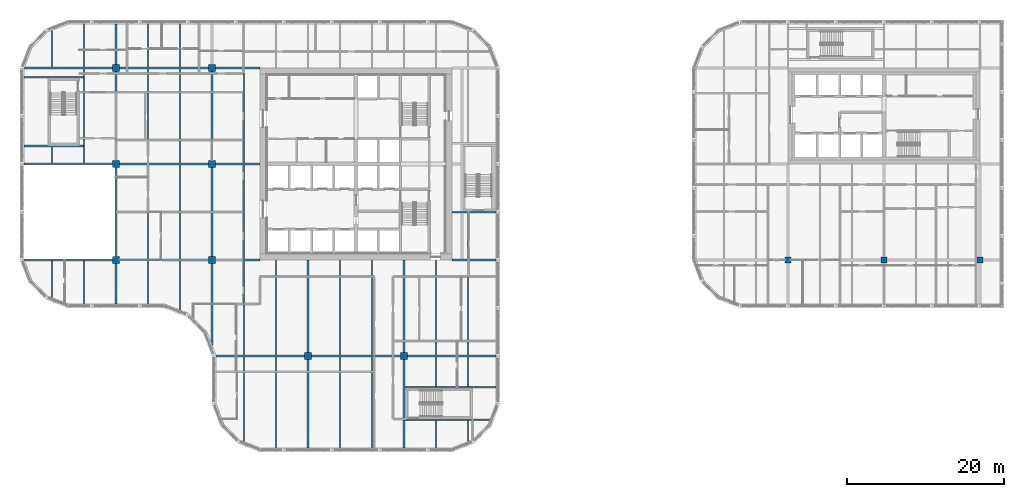
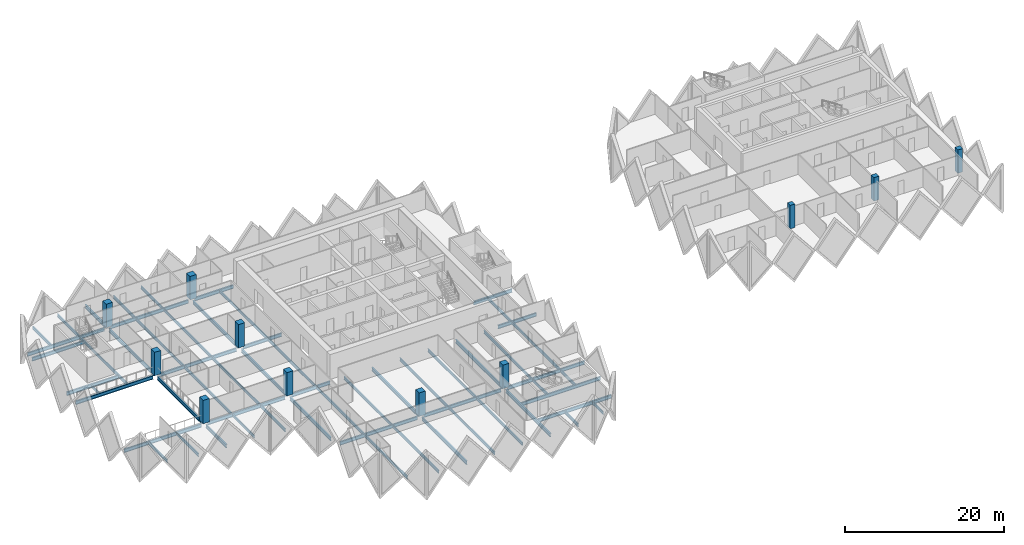
# One storey, part 1 of 18: 60 beams, 11 columns.
"""IFC4 building model written with IfcOpenShell, lengths in metres."""

import ifcopenshell
import ifcopenshell.guid

model = None  # the IFC model being written
_history = None  # IfcOwnerHistory: only IFC2X3 demands one
_inside = {}  # id of a spatial element -> (the spatial element, [elements in it])
_under = {}  # id of a project, library or spatial element -> (it, [spatial elements below it])
_declared = {}  # id of a project -> (the project, [libraries it declares])
_typed = {}  # id of a type object -> (the type object, [elements of that type])
_made_of = {}  # id of a material, layer set ... -> (it, [elements and type objects made of it])


def new_model(schema):
    """Start an empty IFC model of exactly this schema.

    Asked for "IFC4X3", IfcOpenShell would pick the latest addendum, in which some entities
    have other attributes; the version numbers below select the first issue.
    IFC2X3 requires an IfcOwnerHistory on every rooted entity: one is made here for all.
    """
    global model, _history
    if schema == "IFC4X3":
        model = ifcopenshell.file(schema_version=(4, 3, 0, 0))
    else:
        model = ifcopenshell.file(schema=schema)
    _inside.clear()
    _under.clear()
    _declared.clear()
    _typed.clear()
    _made_of.clear()
    _history = None
    if model.schema == "IFC2X3":
        org = make("IfcOrganization", Name="unknown")
        user = make(
            "IfcPersonAndOrganization",
            ThePerson=make("IfcPerson", FamilyName="unknown"),
            TheOrganization=org,
        )
        app = make(
            "IfcApplication",
            ApplicationDeveloper=org,
            Version="unknown",
            ApplicationFullName="unknown",
            ApplicationIdentifier="unknown",
        )
        _history = make(
            "IfcOwnerHistory",
            OwningUser=user,
            OwningApplication=app,
            ChangeAction="ADDED",
            CreationDate=0,
        )
    return model


def make(cls, **values):
    """One entity of the class cls with the attributes given. An attribute that is None is left unset."""
    return model.create_entity(
        cls, **{name: value for name, value in values.items() if value is not None}
    )


def rooted(cls, **values):
    """An entity with a GlobalId (a new one), such as an element, a storey or a relation."""
    return make(cls, GlobalId=ifcopenshell.guid.new(), OwnerHistory=_history, **values)


def si_unit(unit_type, name, prefix=None):
    """IfcSIUnit, for example si_unit("LENGTHUNIT", "METRE", prefix="MILLI")."""
    return make("IfcSIUnit", UnitType=unit_type, Prefix=prefix, Name=name)


def assignment(units):
    """IfcUnitAssignment: the units of a project."""
    return None if units is None else make("IfcUnitAssignment", Units=units)


def point(xyz):
    """IfcCartesianPoint."""
    return None if xyz is None else make("IfcCartesianPoint", Coordinates=xyz)


def direction(xyz):
    """IfcDirection."""
    return None if xyz is None else make("IfcDirection", DirectionRatios=xyz)


def frame(location, z_axis=None, x_axis=None):
    """IfcAxis2Placement3D, a coordinate frame: its origin and axes. An axis left out is left unset."""
    return make(
        "IfcAxis2Placement3D",
        Location=point(location),
        Axis=direction(z_axis),
        RefDirection=direction(x_axis),
    )


def frame_2d(location, x_axis=None):
    """IfcAxis2Placement2D, a coordinate frame in the plane: its origin and x axis."""
    return make(
        "IfcAxis2Placement2D", Location=point(location), RefDirection=direction(x_axis)
    )


def origin():
    """The frame at (0, 0, 0) with its axes left unset."""
    return frame((0.0, 0.0, 0.0))


def origin_2d():
    """The frame at (0, 0) in the plane with its x axis left unset."""
    return frame_2d((0.0, 0.0))


def place(relative_to, where):
    """IfcLocalPlacement: puts the frame where relative to a parent placement (None: the world)."""
    return make(
        "IfcLocalPlacement", PlacementRelTo=relative_to, RelativePlacement=where
    )


def context(
    kind, dimensions, precision=None, world=None, true_north=None, identifier=None
):
    """IfcGeometricRepresentationContext, for example the 3D "Model" context."""
    return make(
        "IfcGeometricRepresentationContext",
        ContextIdentifier=identifier,
        ContextType=kind,
        CoordinateSpaceDimension=dimensions,
        Precision=precision,
        WorldCoordinateSystem=world,
        TrueNorth=true_north,
    )


def subcontext(parent, identifier, kind, view, scale=None):
    """IfcGeometricRepresentationSubContext, for example "Body" below "Model"."""
    return make(
        "IfcGeometricRepresentationSubContext",
        ContextIdentifier=identifier,
        ContextType=kind,
        ParentContext=parent,
        TargetScale=scale,
        TargetView=view,
    )


def project(units=None, contexts=None):
    """IfcProject with its units and contexts."""
    return rooted(
        "IfcProject",
        Name="project",
        RepresentationContexts=contexts,
        UnitsInContext=assignment(units),
    )


def spatial(cls, under=None, at=None, **own):
    """A site, building, storey or space (cls), placed at a placement, below another one or the project."""
    s = rooted(cls, ObjectPlacement=at, **own)
    if under is not None:
        _under.setdefault(under.id(), (under, []))[1].append(s)
    return s


def profile(cls, at=None, kind="AREA", **sizes):
    """A parametric profile (cls). Its sizes go by their IFC names, for example OverallWidth=200.0."""
    return make(cls, ProfileType=kind, Position=at, **sizes)


def rectangle(**sizes):
    """IfcRectangleProfileDef."""
    return profile("IfcRectangleProfileDef", **sizes)


def i_section(**sizes):
    """IfcIShapeProfileDef."""
    return profile("IfcIShapeProfileDef", **sizes)


def extrude(swept, where, along, depth):
    """IfcExtrudedAreaSolid: the profile swept, set in the frame where, extruded along a direction by depth."""
    return make(
        "IfcExtrudedAreaSolid",
        SweptArea=swept,
        Position=where,
        ExtrudedDirection=direction(along),
        Depth=depth,
    )


def shape(context_of_items, identifier, shape_type, items):
    """IfcShapeRepresentation: the items that make up one representation, for example the "Body"."""
    return make(
        "IfcShapeRepresentation",
        ContextOfItems=context_of_items,
        RepresentationIdentifier=identifier,
        RepresentationType=shape_type,
        Items=items,
    )


def material(Name=None, Category=None):
    """IfcMaterial."""
    return make("IfcMaterial", Name=Name, Category=Category)


def material_profile(
    of_material, cross_section, Name=None, Category=None, Priority=None
):
    """IfcMaterialProfile: a cross section and its material."""
    return make(
        "IfcMaterialProfile",
        Name=Name,
        Material=of_material,
        Profile=cross_section,
        Priority=Priority,
        Category=Category,
    )


def profile_set(profiles, Name=None, composite=None):
    """IfcMaterialProfileSet."""
    return make(
        "IfcMaterialProfileSet",
        Name=Name,
        MaterialProfiles=profiles,
        CompositeProfile=composite,
    )


def made_of(thing, what):
    """Note that an element or type object is made of a material, layer set ...; save() writes the relation."""
    if what is not None:
        _made_of.setdefault(what.id(), (what, []))[1].append(thing)
    return thing


def type_object(cls, material=None, **own):
    """A type object (cls), such as IfcWallType, which elements share."""
    return made_of(rooted(cls, **own), material)


def element(
    cls,
    number,
    at=None,
    inside=None,
    cuts=None,
    type_object=None,
    material=None,
    context=None,
    identifier="Body",
    shape_type=None,
    held_by="IfcProductDefinitionShape",
    body=None,
    shapes=None,
    **own,
):
    """One element of the class cls, such as IfcWall. Its Tag is "e" and its number.

    at: its placement. inside: the storey or other place that contains it. cuts: it is an
    opening in that element (IfcRelVoidsElement). A single representation is given by context,
    identifier, shape_type and body (its items); several are given by shapes. held_by: the class
    of the entity that holds the representations. save() writes the other relations.
    """
    e = rooted(cls, Tag="e%d" % number, ObjectPlacement=at, **own)
    if body is not None:
        shapes = [shape(context, identifier, shape_type, body)]
    if shapes is not None:
        e.Representation = make(held_by, Representations=shapes)
    if inside is not None:
        _inside.setdefault(inside.id(), (inside, []))[1].append(e)
    if cuts is not None:
        rooted(
            "IfcRelVoidsElement", RelatingBuildingElement=cuts, RelatedOpeningElement=e
        )
    if type_object is not None:
        _typed.setdefault(type_object.id(), (type_object, []))[1].append(e)
    return made_of(e, material)


def aggregate(whole, parts):
    """IfcRelAggregates: a whole, such as a stair, and the parts it consists of."""
    return rooted("IfcRelAggregates", RelatingObject=whole, RelatedObjects=parts)


def save(model, path):
    """Write the relations noted so far, then the file.

    IfcRelAggregates (storeys below a building ...), IfcRelContainedInSpatialStructure (elements
    in a storey), IfcRelDefinesByType, IfcRelAssociatesMaterial and IfcRelDeclares: one each for
    every whole, place, type object, material and project.
    """
    for whole, parts in _under.values():
        aggregate(whole, parts)
    for where, things in _inside.values():
        rooted(
            "IfcRelContainedInSpatialStructure",
            RelatedElements=things,
            RelatingStructure=where,
        )
    for kind, things in _typed.values():
        rooted("IfcRelDefinesByType", RelatedObjects=things, RelatingType=kind)
    for what, things in _made_of.values():
        rooted("IfcRelAssociatesMaterial", RelatedObjects=things, RelatingMaterial=what)
    for by, libraries in _declared.values():
        rooted("IfcRelDeclares", RelatingContext=by, RelatedDefinitions=libraries)
    model.write(path)


model = new_model("IFC4")

# Units and contexts
model_context = context("Model", 3, precision=1e-05, world=origin(), true_north=direction((0.0, 1.0)))
body_context = subcontext(model_context, "Body", "Model", "MODEL_VIEW")
ifc_project = project(units=[si_unit("LENGTHUNIT", "METRE"), si_unit("AREAUNIT", "SQUARE_METRE"), si_unit("VOLUMEUNIT", "CUBIC_METRE"), si_unit("PLANEANGLEUNIT", "RADIAN"), si_unit("MASSUNIT", "GRAM", prefix="KILO")], contexts=[model_context])

# Site, building, storey
site_placement = place(None, origin())
site = spatial("IfcSite", under=ifc_project, at=site_placement, CompositionType="ELEMENT")
building_placement = place(site_placement, origin())
building = spatial("IfcBuilding", under=site, at=building_placement, Name="Tessera Gate Towers", CompositionType="ELEMENT")
storey_placement = place(building_placement, frame((0.0, 0.0, 99.0)))
storey = spatial("IfcBuildingStorey", under=building, at=storey_placement, Name="L24", CompositionType="ELEMENT", Elevation=99.0)

# Columns
ifc_material_1 = material(Name="Concrete C70/85", Category="concrete")
ifc_material_profile_1 = material_profile(ifc_material_1, rectangle(XDim=0.699951171875, YDim=0.699951171875, at=origin_2d()), Name="RC 700x700")
ifc_profile_set_1 = profile_set([ifc_material_profile_1], Name="Concrete C70/85")
column_type_1 = type_object("IfcColumnType", Name="COLUMN RC 700x700", PredefinedType="COLUMN", material=ifc_profile_set_1)
for number, where, z_axis, x_axis, name in (
    (1, (97.60009765625, 24.39990234375, 0.0), (0.0, 0.0, 1.0), (1.0, 0.0, 0.0), "T2-COL-9C-L24"),
    (2, (109.800048828125, 24.39990234375, 0.0), (0.0, 0.0, 1.0), (1.0, 0.0, 0.0), "T2-COL-10C-L24"),
    (3, (122.0, 24.39990234375, 0.0), (0.0, 0.0, 1.0), (1.0, 0.0, 0.0), "T2-COL-11C-L24"),
):
    element("IfcColumn", number, at=place(storey_placement, frame(where, z_axis=z_axis, x_axis=x_axis)), inside=storey, type_object=column_type_1, Name=name, PredefinedType="COLUMN", context=body_context, shape_type="SweptSolid", body=[
        extrude(rectangle(XDim=0.699951171875, YDim=0.699951171875, at=origin_2d()), origin(), (0.0, 0.0, 1.0), 3.60009765625),
    ])
ifc_material_2 = material(Name="Concrete C70/85", Category="concrete")
ifc_material_profile_2 = material_profile(ifc_material_2, rectangle(XDim=0.89990234375, YDim=0.89990234375, at=origin_2d()), Name="RC 900x900")
ifc_profile_set_2 = profile_set([ifc_material_profile_2], Name="Concrete C70/85")
column_type_2 = type_object("IfcColumnType", Name="COLUMN RC 900x900", PredefinedType="COLUMN", material=ifc_profile_set_2)
for number, where, z_axis, x_axis, name in (
    (4, (12.199951171875, 24.39990234375, 0.0), (0.0, 0.0, 1.0), (1.0, 0.0, 0.0), "T1-COL-2C-L24"),
    (5, (12.199951171875, 36.60009765625, 0.0), (0.0, 0.0, 1.0), (1.0, 0.0, 0.0), "T1-COL-2D-L24"),
    (6, (12.199951171875, 48.800048828125, 0.0), (0.0, 0.0, 1.0), (1.0, 0.0, 0.0), "T1-COL-2E-L24"),
    (7, (24.39990234375, 24.39990234375, 0.0), (0.0, 0.0, 1.0), (1.0, 0.0, 0.0), "T1-COL-3C-L24"),
    (8, (24.39990234375, 36.60009765625, 0.0), (0.0, 0.0, 1.0), (1.0, 0.0, 0.0), "T1-COL-3D-L24"),
    (9, (24.39990234375, 48.800048828125, 0.0), (0.0, 0.0, 1.0), (1.0, 0.0, 0.0), "T1-COL-3E-L24"),
    (10, (36.60009765625, 12.199951171875, 0.0), (0.0, 0.0, 1.0), (1.0, 0.0, 0.0), "T1-COL-4B-L24"),
    (11, (48.800048828125, 12.199951171875, 0.0), (0.0, 0.0, 1.0), (1.0, 0.0, 0.0), "T1-COL-5B-L24"),
):
    element("IfcColumn", number, at=place(storey_placement, frame(where, z_axis=z_axis, x_axis=x_axis)), inside=storey, type_object=column_type_2, Name=name, PredefinedType="COLUMN", context=body_context, shape_type="SweptSolid", body=[
        extrude(rectangle(XDim=0.89990234375, YDim=0.89990234375, at=origin_2d()), origin(), (0.0, 0.0, 1.0), 3.60009765625),
    ])

# Beams
ifc_material_3 = material(Name="Steel 350W", Category="steel")
ifc_material_profile_3 = material_profile(ifc_material_3, i_section(OverallWidth=0.208984375, OverallDepth=0.532958984375, WebThickness=0.01025390625, FlangeThickness=0.015625, at=origin_2d()), Name="W530x92")
ifc_profile_set_3 = profile_set([ifc_material_profile_3], Name="Steel 350W")
beam_type_1 = type_object("IfcBeamType", Name="FLOOR GIRDER W530x92", PredefinedType="BEAM", material=ifc_profile_set_3)
beam_1_placement = place(storey_placement, frame((24.89892578125, 12.199951171875, -0.466552734375), z_axis=(1.0, 0.0, 0.0), x_axis=(0.0, 1.0, 0.0)))
element("IfcBeam", 12, at=beam_1_placement, inside=storey, type_object=beam_type_1, Name="T1-GD-L24-3179", PredefinedType="BEAM", context=body_context, shape_type="SweptSolid", body=[
    extrude(i_section(OverallWidth=0.208984375, OverallDepth=0.532958984375, WebThickness=0.01025390625, FlangeThickness=0.015625, at=origin_2d()), origin(), (0.0, 0.0, 1.0), 11.2509765625),
])
beam_2_placement = place(storey_placement, frame((37.050048828125, 12.199951171875, -0.466552734375), z_axis=(1.0, 0.0, 0.0), x_axis=(0.0, 1.0, 0.0)))
element("IfcBeam", 13, at=beam_2_placement, inside=storey, type_object=beam_type_1, Name="T1-GD-L24-3180", PredefinedType="BEAM", context=body_context, shape_type="SweptSolid", body=[
    extrude(i_section(OverallWidth=0.208984375, OverallDepth=0.532958984375, WebThickness=0.01025390625, FlangeThickness=0.015625, at=origin_2d()), origin(), (0.0, 0.0, 1.0), 11.300048828125),
])
beam_3_placement = place(storey_placement, frame((49.25, 12.199951171875, -0.466552734375), z_axis=(1.0, 0.0, 0.0), x_axis=(0.0, 1.0, 0.0)))
element("IfcBeam", 14, at=beam_3_placement, inside=storey, type_object=beam_type_1, Name="T1-GD-L24-3181", PredefinedType="BEAM", context=body_context, shape_type="SweptSolid", body=[
    extrude(i_section(OverallWidth=0.208984375, OverallDepth=0.532958984375, WebThickness=0.01025390625, FlangeThickness=0.015625, at=origin_2d()), origin(), (0.0, 0.0, 1.0), 11.2509765625),
])
beam_4_placement = place(storey_placement, frame((0.534912109375, 24.39990234375, -0.466552734375), z_axis=(1.0, 0.0, 0.0), x_axis=(0.0, 1.0, 0.0)))
element("IfcBeam", 15, at=beam_4_placement, inside=storey, type_object=beam_type_1, Name="T1-GD-L24-3182", PredefinedType="BEAM", context=body_context, shape_type="SweptSolid", body=[
    extrude(i_section(OverallWidth=0.208984375, OverallDepth=0.532958984375, WebThickness=0.01025390625, FlangeThickness=0.015625, at=origin_2d()), origin(), (0.0, 0.0, 1.0), 11.215087890625),
])
beam_5_placement = place(storey_placement, frame((12.64990234375, 24.39990234375, -0.466552734375), z_axis=(1.0, 0.0, 0.0), x_axis=(0.0, 1.0, 0.0)))
element("IfcBeam", 16, at=beam_5_placement, inside=storey, type_object=beam_type_1, Name="T1-GD-L24-3183", PredefinedType="BEAM", context=body_context, shape_type="SweptSolid", body=[
    extrude(i_section(OverallWidth=0.208984375, OverallDepth=0.532958984375, WebThickness=0.01025390625, FlangeThickness=0.015625, at=origin_2d()), origin(), (0.0, 0.0, 1.0), 11.300048828125),
])
beam_6_placement = place(storey_placement, frame((24.85009765625, 24.39990234375, -0.466552734375), z_axis=(1.0, 0.0, 0.0), x_axis=(0.0, 1.0, 0.0)))
element("IfcBeam", 17, at=beam_6_placement, inside=storey, type_object=beam_type_1, Name="T1-GD-L24-3184", PredefinedType="BEAM", context=body_context, shape_type="SweptSolid", body=[
    extrude(i_section(OverallWidth=0.208984375, OverallDepth=0.532958984375, WebThickness=0.01025390625, FlangeThickness=0.015625, at=origin_2d()), origin(), (0.0, 0.0, 1.0), 5.64892578125),
])
beam_7_placement = place(storey_placement, frame((54.90087890625, 24.39990234375, -0.466552734375), z_axis=(1.0, 0.0, 0.0), x_axis=(0.0, 1.0, 0.0)))
element("IfcBeam", 18, at=beam_7_placement, inside=storey, type_object=beam_type_1, Name="T1-GD-L24-3185", PredefinedType="BEAM", context=body_context, shape_type="SweptSolid", body=[
    extrude(i_section(OverallWidth=0.208984375, OverallDepth=0.532958984375, WebThickness=0.01025390625, FlangeThickness=0.015625, at=origin_2d()), origin(), (0.0, 0.0, 1.0), 5.60009765625),
])
beam_8_placement = place(storey_placement, frame((0.4990234375, 36.60009765625, -0.466552734375), z_axis=(1.0, 0.0, 0.0), x_axis=(0.0, 1.0, 0.0)))
element("IfcBeam", 19, at=beam_8_placement, inside=storey, type_object=beam_type_1, Name="T1-GD-L24-3186", PredefinedType="BEAM", context=body_context, shape_type="SweptSolid", body=[
    extrude(i_section(OverallWidth=0.208984375, OverallDepth=0.532958984375, WebThickness=0.01025390625, FlangeThickness=0.015625, at=origin_2d()), origin(), (0.0, 0.0, 1.0), 11.2509765625),
])
beam_9_placement = place(storey_placement, frame((12.64990234375, 36.60009765625, -0.466552734375), z_axis=(1.0, 0.0, 0.0), x_axis=(0.0, 1.0, 0.0)))
element("IfcBeam", 20, at=beam_9_placement, inside=storey, type_object=beam_type_1, Name="T1-GD-L24-3187", PredefinedType="BEAM", context=body_context, shape_type="SweptSolid", body=[
    extrude(i_section(OverallWidth=0.208984375, OverallDepth=0.532958984375, WebThickness=0.01025390625, FlangeThickness=0.015625, at=origin_2d()), origin(), (0.0, 0.0, 1.0), 11.300048828125),
])
beam_10_placement = place(storey_placement, frame((24.85009765625, 36.60009765625, -0.466552734375), z_axis=(1.0, 0.0, 0.0), x_axis=(0.0, 1.0, 0.0)))
element("IfcBeam", 21, at=beam_10_placement, inside=storey, type_object=beam_type_1, Name="T1-GD-L24-3188", PredefinedType="BEAM", context=body_context, shape_type="SweptSolid", body=[
    extrude(i_section(OverallWidth=0.208984375, OverallDepth=0.532958984375, WebThickness=0.01025390625, FlangeThickness=0.015625, at=origin_2d()), origin(), (0.0, 0.0, 1.0), 5.65087890625),
])
beam_11_placement = place(storey_placement, frame((0.534912109375, 48.800048828125, -0.466552734375), z_axis=(1.0, 0.0, 0.0), x_axis=(0.0, 1.0, 0.0)))
element("IfcBeam", 22, at=beam_11_placement, inside=storey, type_object=beam_type_1, Name="T1-GD-L24-3190", PredefinedType="BEAM", context=body_context, shape_type="SweptSolid", body=[
    extrude(i_section(OverallWidth=0.208984375, OverallDepth=0.532958984375, WebThickness=0.01025390625, FlangeThickness=0.015625, at=origin_2d()), origin(), (0.0, 0.0, 1.0), 11.215087890625),
])
beam_12_placement = place(storey_placement, frame((12.64990234375, 48.800048828125, -0.466552734375), z_axis=(1.0, 0.0, 0.0), x_axis=(0.0, 1.0, 0.0)))
element("IfcBeam", 23, at=beam_12_placement, inside=storey, type_object=beam_type_1, Name="T1-GD-L24-3191", PredefinedType="BEAM", context=body_context, shape_type="SweptSolid", body=[
    extrude(i_section(OverallWidth=0.208984375, OverallDepth=0.532958984375, WebThickness=0.01025390625, FlangeThickness=0.015625, at=origin_2d()), origin(), (0.0, 0.0, 1.0), 11.300048828125),
])
beam_13_placement = place(storey_placement, frame((24.85009765625, 48.800048828125, -0.466552734375), z_axis=(1.0, 0.0, 0.0), x_axis=(0.0, 1.0, 0.0)))
element("IfcBeam", 24, at=beam_13_placement, inside=storey, type_object=beam_type_1, Name="T1-GD-L24-3192", PredefinedType="BEAM", context=body_context, shape_type="SweptSolid", body=[
    extrude(i_section(OverallWidth=0.208984375, OverallDepth=0.532958984375, WebThickness=0.01025390625, FlangeThickness=0.015625, at=origin_2d()), origin(), (0.0, 0.0, 1.0), 5.64892578125),
])
beam_14_placement = place(storey_placement, frame((12.199951171875, 18.799072265625, -0.466552734375), z_axis=(0.0, 1.0, 0.0), x_axis=(-1.0, 0.0, 0.0)))
element("IfcBeam", 25, at=beam_14_placement, inside=storey, type_object=beam_type_1, Name="T1-GD-L24-3194", PredefinedType="BEAM", context=body_context, shape_type="SweptSolid", body=[
    extrude(i_section(OverallWidth=0.208984375, OverallDepth=0.532958984375, WebThickness=0.01025390625, FlangeThickness=0.015625, at=origin_2d()), origin(), (0.0, 0.0, 1.0), 5.15087890625),
])
beam_15_placement = place(storey_placement, frame((12.199951171875, 24.85009765625, -0.466552734375), z_axis=(0.0, 1.0, 0.0), x_axis=(-1.0, 0.0, 0.0)))
element("IfcBeam", 26, at=beam_15_placement, inside=storey, type_object=beam_type_1, Name="T1-GD-L24-3195", PredefinedType="BEAM", context=body_context, shape_type="SweptSolid", body=[
    extrude(i_section(OverallWidth=0.208984375, OverallDepth=0.532958984375, WebThickness=0.01025390625, FlangeThickness=0.015625, at=origin_2d()), origin(), (0.0, 0.0, 1.0), 11.2998046875),
])
beam_16_placement = place(storey_placement, frame((12.199951171875, 37.050048828125, -0.466552734375), z_axis=(0.0, 1.0, 0.0), x_axis=(-1.0, 0.0, 0.0)))
element("IfcBeam", 27, at=beam_16_placement, inside=storey, type_object=beam_type_1, Name="T1-GD-L24-3196", PredefinedType="BEAM", context=body_context, shape_type="SweptSolid", body=[
    extrude(i_section(OverallWidth=0.208984375, OverallDepth=0.532958984375, WebThickness=0.01025390625, FlangeThickness=0.015625, at=origin_2d()), origin(), (0.0, 0.0, 1.0), 11.300048828125),
])
beam_17_placement = place(storey_placement, frame((12.199951171875, 49.25, -0.466552734375), z_axis=(0.0, 1.0, 0.0), x_axis=(-1.0, 0.0, 0.0)))
element("IfcBeam", 28, at=beam_17_placement, inside=storey, type_object=beam_type_1, Name="T1-GD-L24-3197", PredefinedType="BEAM", context=body_context, shape_type="SweptSolid", body=[
    extrude(i_section(OverallWidth=0.208984375, OverallDepth=0.532958984375, WebThickness=0.01025390625, FlangeThickness=0.015625, at=origin_2d()), origin(), (0.0, 0.0, 1.0), 5.15087890625),
])
beam_18_placement = place(storey_placement, frame((24.39990234375, 13.58642578125, -0.466552734375), z_axis=(0.0, 1.0, 0.0), x_axis=(-1.0, 0.0, 0.0)))
element("IfcBeam", 29, at=beam_18_placement, inside=storey, type_object=beam_type_1, Name="T1-GD-L24-3198", PredefinedType="BEAM", context=body_context, shape_type="SweptSolid", body=[
    extrude(i_section(OverallWidth=0.208984375, OverallDepth=0.532958984375, WebThickness=0.01025390625, FlangeThickness=0.015625, at=origin_2d()), origin(), (0.0, 0.0, 1.0), 10.363525390625),
])
beam_19_placement = place(storey_placement, frame((24.39990234375, 24.85009765625, -0.466552734375), z_axis=(0.0, 1.0, 0.0), x_axis=(-1.0, 0.0, 0.0)))
element("IfcBeam", 30, at=beam_19_placement, inside=storey, type_object=beam_type_1, Name="T1-GD-L24-3199", PredefinedType="BEAM", context=body_context, shape_type="SweptSolid", body=[
    extrude(i_section(OverallWidth=0.208984375, OverallDepth=0.532958984375, WebThickness=0.01025390625, FlangeThickness=0.015625, at=origin_2d()), origin(), (0.0, 0.0, 1.0), 11.2998046875),
])
beam_20_placement = place(storey_placement, frame((24.39990234375, 37.050048828125, -0.466552734375), z_axis=(0.0, 1.0, 0.0), x_axis=(-1.0, 0.0, 0.0)))
element("IfcBeam", 31, at=beam_20_placement, inside=storey, type_object=beam_type_1, Name="T1-GD-L24-3200", PredefinedType="BEAM", context=body_context, shape_type="SweptSolid", body=[
    extrude(i_section(OverallWidth=0.208984375, OverallDepth=0.532958984375, WebThickness=0.01025390625, FlangeThickness=0.015625, at=origin_2d()), origin(), (0.0, 0.0, 1.0), 11.300048828125),
])
beam_21_placement = place(storey_placement, frame((36.60009765625, 0.4990234375, -0.466552734375), z_axis=(0.0, 1.0, 0.0), x_axis=(-1.0, 0.0, 0.0)))
element("IfcBeam", 32, at=beam_21_placement, inside=storey, type_object=beam_type_1, Name="T1-GD-L24-3202", PredefinedType="BEAM", context=body_context, shape_type="SweptSolid", body=[
    extrude(i_section(OverallWidth=0.208984375, OverallDepth=0.532958984375, WebThickness=0.01025390625, FlangeThickness=0.015625, at=origin_2d()), origin(), (0.0, 0.0, 1.0), 11.2509765625),
])
beam_22_placement = place(storey_placement, frame((36.60009765625, 12.64990234375, -0.466552734375), z_axis=(0.0, 1.0, 0.0), x_axis=(-1.0, 0.0, 0.0)))
element("IfcBeam", 33, at=beam_22_placement, inside=storey, type_object=beam_type_1, Name="T1-GD-L24-3203", PredefinedType="BEAM", context=body_context, shape_type="SweptSolid", body=[
    extrude(i_section(OverallWidth=0.208984375, OverallDepth=0.532958984375, WebThickness=0.01025390625, FlangeThickness=0.015625, at=origin_2d()), origin(), (0.0, 0.0, 1.0), 11.75),
])
beam_23_placement = place(storey_placement, frame((48.800048828125, 0.4990234375, -0.466552734375), z_axis=(0.0, 1.0, 0.0), x_axis=(-1.0, 0.0, 0.0)))
element("IfcBeam", 34, at=beam_23_placement, inside=storey, type_object=beam_type_1, Name="T1-GD-L24-3204", PredefinedType="BEAM", context=body_context, shape_type="SweptSolid", body=[
    extrude(i_section(OverallWidth=0.208984375, OverallDepth=0.532958984375, WebThickness=0.01025390625, FlangeThickness=0.015625, at=origin_2d()), origin(), (0.0, 0.0, 1.0), 11.2509765625),
])
beam_24_placement = place(storey_placement, frame((48.800048828125, 12.64990234375, -0.466552734375), z_axis=(0.0, 1.0, 0.0), x_axis=(-1.0, 0.0, 0.0)))
element("IfcBeam", 35, at=beam_24_placement, inside=storey, type_object=beam_type_1, Name="T1-GD-L24-3205", PredefinedType="BEAM", context=body_context, shape_type="SweptSolid", body=[
    extrude(i_section(OverallWidth=0.208984375, OverallDepth=0.532958984375, WebThickness=0.01025390625, FlangeThickness=0.015625, at=origin_2d()), origin(), (0.0, 0.0, 1.0), 11.75),
])
for number, where, z_axis, x_axis, name in (
    (36, (0.4990234375, 38.8798828125, -0.466552734375), (1.0, 0.0, 0.0), (0.0, 1.0, 0.0), "T1-GD-L24-3206"),
    (37, (0.4990234375, 47.6201171875, -0.466552734375), (1.0, 0.0, 0.0), (0.0, 1.0, 0.0), "T1-GD-L24-3207"),
):
    element("IfcBeam", number, at=place(storey_placement, frame(where, z_axis=z_axis, x_axis=x_axis)), inside=storey, type_object=beam_type_1, Name=name, PredefinedType="BEAM", context=body_context, shape_type="SweptSolid", body=[
        extrude(i_section(OverallWidth=0.208984375, OverallDepth=0.532958984375, WebThickness=0.01025390625, FlangeThickness=0.015625, at=origin_2d()), origin(), (0.0, 0.0, 1.0), 7.557861328125),
    ])
beam_25_placement = place(storey_placement, frame((48.87646484375, 4.080078125, -0.466552734375), z_axis=(1.0, 0.0, 0.0), x_axis=(0.0, 1.0, 0.0)))
element("IfcBeam", 38, at=beam_25_placement, inside=storey, type_object=beam_type_1, Name="T1-GD-L24-3208", PredefinedType="BEAM", context=body_context, shape_type="SweptSolid", body=[
    extrude(i_section(OverallWidth=0.208984375, OverallDepth=0.532958984375, WebThickness=0.01025390625, FlangeThickness=0.015625, at=origin_2d()), origin(), (0.0, 0.0, 1.0), 10.809326171875),
])
beam_26_placement = place(storey_placement, frame((48.87646484375, 8.219970703125, -0.466552734375), z_axis=(1.0, 0.0, 0.0), x_axis=(0.0, 1.0, 0.0)))
element("IfcBeam", 39, at=beam_26_placement, inside=storey, type_object=beam_type_1, Name="T1-GD-L24-3209", PredefinedType="BEAM", context=body_context, shape_type="SweptSolid", body=[
    extrude(i_section(OverallWidth=0.208984375, OverallDepth=0.532958984375, WebThickness=0.01025390625, FlangeThickness=0.015625, at=origin_2d()), origin(), (0.0, 0.0, 1.0), 11.62451171875),
])
beam_27_placement = place(storey_placement, frame((54.89892578125, 30.47998046875, -0.466552734375), z_axis=(1.0, 0.0, 0.0), x_axis=(0.0, 1.0, 0.0)))
element("IfcBeam", 40, at=beam_27_placement, inside=storey, type_object=beam_type_1, Name="T1-GD-L24-3210", PredefinedType="BEAM", context=body_context, shape_type="SweptSolid", body=[
    extrude(i_section(OverallWidth=0.208984375, OverallDepth=0.532958984375, WebThickness=0.01025390625, FlangeThickness=0.015625, at=origin_2d()), origin(), (0.0, 0.0, 1.0), 5.60205078125),
])
ifc_material_4 = material(Name="Steel 350W", Category="steel")
ifc_material_profile_4 = material_profile(ifc_material_4, i_section(OverallWidth=0.153076171875, OverallDepth=0.455078125, WebThickness=0.008056640625, FlangeThickness=0.01318359375, at=origin_2d()), Name="W460x60")
ifc_profile_set_4 = profile_set([ifc_material_profile_4], Name="Steel 350W")
beam_type_2 = type_object("IfcBeamType", Name="FLOOR SECONDARY W460x60", PredefinedType="BEAM", material=ifc_profile_set_4)
beam_28_placement = place(storey_placement, frame((4.066650390625, 19.620361328125, -0.427490234375), z_axis=(0.0, 1.0, 0.0), x_axis=(-1.0, 0.0, 0.0)))
element("IfcBeam", 41, at=beam_28_placement, inside=storey, type_object=beam_type_2, Name="T1-BM-L24-3213", PredefinedType="BEAM", context=body_context, shape_type="SweptSolid", body=[
    extrude(i_section(OverallWidth=0.153076171875, OverallDepth=0.455078125, WebThickness=0.008056640625, FlangeThickness=0.01318359375, at=origin_2d()), origin(), (0.0, 0.0, 1.0), 4.779541015625),
])
beam_29_placement = place(storey_placement, frame((4.066650390625, 36.70458984375, -0.427490234375), z_axis=(0.0, 1.0, 0.0), x_axis=(-1.0, 0.0, 0.0)))
element("IfcBeam", 42, at=beam_29_placement, inside=storey, type_object=beam_type_2, Name="T1-BM-L24-3214", PredefinedType="BEAM", context=body_context, shape_type="SweptSolid", body=[
    extrude(i_section(OverallWidth=0.153076171875, OverallDepth=0.455078125, WebThickness=0.008056640625, FlangeThickness=0.01318359375, at=origin_2d()), origin(), (0.0, 0.0, 1.0), 2.07080078125),
])
beam_30_placement = place(storey_placement, frame((4.066650390625, 48.904541015625, -0.427490234375), z_axis=(0.0, 1.0, 0.0), x_axis=(-1.0, 0.0, 0.0)))
element("IfcBeam", 43, at=beam_30_placement, inside=storey, type_object=beam_type_2, Name="T1-BM-L24-3215", PredefinedType="BEAM", context=body_context, shape_type="SweptSolid", body=[
    extrude(i_section(OverallWidth=0.153076171875, OverallDepth=0.455078125, WebThickness=0.008056640625, FlangeThickness=0.01318359375, at=origin_2d()), origin(), (0.0, 0.0, 1.0), 4.675048828125),
])
beam_31_placement = place(storey_placement, frame((8.13330078125, 18.800048828125, -0.427490234375), z_axis=(0.0, 1.0, 0.0), x_axis=(-1.0, 0.0, 0.0)))
element("IfcBeam", 44, at=beam_31_placement, inside=storey, type_object=beam_type_2, Name="T1-BM-L24-3216", PredefinedType="BEAM", context=body_context, shape_type="SweptSolid", body=[
    extrude(i_section(OverallWidth=0.153076171875, OverallDepth=0.455078125, WebThickness=0.008056640625, FlangeThickness=0.01318359375, at=origin_2d()), origin(), (0.0, 0.0, 1.0), 5.599853515625),
])
beam_32_placement = place(storey_placement, frame((8.13330078125, 36.70458984375, -0.427490234375), z_axis=(0.0, 1.0, 0.0), x_axis=(-1.0, 0.0, 0.0)))
element("IfcBeam", 45, at=beam_32_placement, inside=storey, type_object=beam_type_2, Name="T1-BM-L24-3217", PredefinedType="BEAM", context=body_context, shape_type="SweptSolid", body=[
    extrude(i_section(OverallWidth=0.153076171875, OverallDepth=0.455078125, WebThickness=0.008056640625, FlangeThickness=0.01318359375, at=origin_2d()), origin(), (0.0, 0.0, 1.0), 11.990966796875),
])
for number, where, z_axis, x_axis, name in (
    (46, (8.13330078125, 48.904541015625, -0.427490234375), (0.0, 1.0, 0.0), (-1.0, 0.0, 0.0), "T1-BM-L24-3218"),
    (47, (16.2666015625, 18.800048828125, -0.427490234375), (0.0, 1.0, 0.0), (-1.0, 0.0, 0.0), "T1-BM-L24-3219"),
):
    element("IfcBeam", number, at=place(storey_placement, frame(where, z_axis=z_axis, x_axis=x_axis)), inside=storey, type_object=beam_type_2, Name=name, PredefinedType="BEAM", context=body_context, shape_type="SweptSolid", body=[
        extrude(i_section(OverallWidth=0.153076171875, OverallDepth=0.455078125, WebThickness=0.008056640625, FlangeThickness=0.01318359375, at=origin_2d()), origin(), (0.0, 0.0, 1.0), 5.495361328125),
    ])
beam_33_placement = place(storey_placement, frame((16.2666015625, 24.50439453125, -0.427490234375), z_axis=(0.0, 1.0, 0.0), x_axis=(-1.0, 0.0, 0.0)))
element("IfcBeam", 48, at=beam_33_placement, inside=storey, type_object=beam_type_2, Name="T1-BM-L24-3220", PredefinedType="BEAM", context=body_context, shape_type="SweptSolid", body=[
    extrude(i_section(OverallWidth=0.153076171875, OverallDepth=0.455078125, WebThickness=0.008056640625, FlangeThickness=0.01318359375, at=origin_2d()), origin(), (0.0, 0.0, 1.0), 11.9912109375),
])
beam_34_placement = place(storey_placement, frame((16.2666015625, 36.70458984375, -0.427490234375), z_axis=(0.0, 1.0, 0.0), x_axis=(-1.0, 0.0, 0.0)))
element("IfcBeam", 49, at=beam_34_placement, inside=storey, type_object=beam_type_2, Name="T1-BM-L24-3221", PredefinedType="BEAM", context=body_context, shape_type="SweptSolid", body=[
    extrude(i_section(OverallWidth=0.153076171875, OverallDepth=0.455078125, WebThickness=0.008056640625, FlangeThickness=0.01318359375, at=origin_2d()), origin(), (0.0, 0.0, 1.0), 11.990966796875),
])
beam_35_placement = place(storey_placement, frame((16.2666015625, 48.904541015625, -0.427490234375), z_axis=(0.0, 1.0, 0.0), x_axis=(-1.0, 0.0, 0.0)))
element("IfcBeam", 50, at=beam_35_placement, inside=storey, type_object=beam_type_2, Name="T1-BM-L24-3222", PredefinedType="BEAM", context=body_context, shape_type="SweptSolid", body=[
    extrude(i_section(OverallWidth=0.153076171875, OverallDepth=0.455078125, WebThickness=0.008056640625, FlangeThickness=0.01318359375, at=origin_2d()), origin(), (0.0, 0.0, 1.0), 5.495361328125),
])
beam_36_placement = place(storey_placement, frame((20.333251953125, 18.051513671875, -0.427490234375), z_axis=(0.0, 1.0, 0.0), x_axis=(-1.0, 0.0, 0.0)))
element("IfcBeam", 51, at=beam_36_placement, inside=storey, type_object=beam_type_2, Name="T1-BM-L24-3223", PredefinedType="BEAM", context=body_context, shape_type="SweptSolid", body=[
    extrude(i_section(OverallWidth=0.153076171875, OverallDepth=0.455078125, WebThickness=0.008056640625, FlangeThickness=0.01318359375, at=origin_2d()), origin(), (0.0, 0.0, 1.0), 6.243896484375),
])
beam_37_placement = place(storey_placement, frame((20.333251953125, 24.50439453125, -0.427490234375), z_axis=(0.0, 1.0, 0.0), x_axis=(-1.0, 0.0, 0.0)))
element("IfcBeam", 52, at=beam_37_placement, inside=storey, type_object=beam_type_2, Name="T1-BM-L24-3224", PredefinedType="BEAM", context=body_context, shape_type="SweptSolid", body=[
    extrude(i_section(OverallWidth=0.153076171875, OverallDepth=0.455078125, WebThickness=0.008056640625, FlangeThickness=0.01318359375, at=origin_2d()), origin(), (0.0, 0.0, 1.0), 11.9912109375),
])
beam_38_placement = place(storey_placement, frame((20.333251953125, 36.70458984375, -0.427490234375), z_axis=(0.0, 1.0, 0.0), x_axis=(-1.0, 0.0, 0.0)))
element("IfcBeam", 53, at=beam_38_placement, inside=storey, type_object=beam_type_2, Name="T1-BM-L24-3225", PredefinedType="BEAM", context=body_context, shape_type="SweptSolid", body=[
    extrude(i_section(OverallWidth=0.153076171875, OverallDepth=0.455078125, WebThickness=0.008056640625, FlangeThickness=0.01318359375, at=origin_2d()), origin(), (0.0, 0.0, 1.0), 11.990966796875),
])
beam_39_placement = place(storey_placement, frame((20.333251953125, 48.904541015625, -0.427490234375), z_axis=(0.0, 1.0, 0.0), x_axis=(-1.0, 0.0, 0.0)))
element("IfcBeam", 54, at=beam_39_placement, inside=storey, type_object=beam_type_2, Name="T1-BM-L24-3226", PredefinedType="BEAM", context=body_context, shape_type="SweptSolid", body=[
    extrude(i_section(OverallWidth=0.153076171875, OverallDepth=0.455078125, WebThickness=0.008056640625, FlangeThickness=0.01318359375, at=origin_2d()), origin(), (0.0, 0.0, 1.0), 5.495361328125),
])
beam_40_placement = place(storey_placement, frame((28.466796875, 1.3203125, -0.427490234375), z_axis=(0.0, 1.0, 0.0), x_axis=(-1.0, 0.0, 0.0)))
element("IfcBeam", 55, at=beam_40_placement, inside=storey, type_object=beam_type_2, Name="T1-BM-L24-3227", PredefinedType="BEAM", context=body_context, shape_type="SweptSolid", body=[
    extrude(i_section(OverallWidth=0.153076171875, OverallDepth=0.455078125, WebThickness=0.008056640625, FlangeThickness=0.01318359375, at=origin_2d()), origin(), (0.0, 0.0, 1.0), 10.775146484375),
])
beam_41_placement = place(storey_placement, frame((28.466796875, 12.304443359375, -0.427490234375), z_axis=(0.0, 1.0, 0.0), x_axis=(-1.0, 0.0, 0.0)))
element("IfcBeam", 56, at=beam_41_placement, inside=storey, type_object=beam_type_2, Name="T1-BM-L24-3228", PredefinedType="BEAM", context=body_context, shape_type="SweptSolid", body=[
    extrude(i_section(OverallWidth=0.153076171875, OverallDepth=0.455078125, WebThickness=0.008056640625, FlangeThickness=0.01318359375, at=origin_2d()), origin(), (0.0, 0.0, 1.0), 11.990966796875),
])
beam_42_placement = place(storey_placement, frame((28.466796875, 24.50439453125, -0.427490234375), z_axis=(0.0, 1.0, 0.0), x_axis=(-1.0, 0.0, 0.0)))
element("IfcBeam", 57, at=beam_42_placement, inside=storey, type_object=beam_type_2, Name="T1-BM-L24-3229", PredefinedType="BEAM", context=body_context, shape_type="SweptSolid", body=[
    extrude(i_section(OverallWidth=0.153076171875, OverallDepth=0.455078125, WebThickness=0.008056640625, FlangeThickness=0.01318359375, at=origin_2d()), origin(), (0.0, 0.0, 1.0), 11.9912109375),
])
beam_43_placement = place(storey_placement, frame((28.466796875, 36.70458984375, -0.427490234375), z_axis=(0.0, 1.0, 0.0), x_axis=(-1.0, 0.0, 0.0)))
element("IfcBeam", 58, at=beam_43_placement, inside=storey, type_object=beam_type_2, Name="T1-BM-L24-3230", PredefinedType="BEAM", context=body_context, shape_type="SweptSolid", body=[
    extrude(i_section(OverallWidth=0.153076171875, OverallDepth=0.455078125, WebThickness=0.008056640625, FlangeThickness=0.01318359375, at=origin_2d()), origin(), (0.0, 0.0, 1.0), 11.990966796875),
])
beam_44_placement = place(storey_placement, frame((32.533203125, 0.5, -0.427490234375), z_axis=(0.0, 1.0, 0.0), x_axis=(-1.0, 0.0, 0.0)))
element("IfcBeam", 59, at=beam_44_placement, inside=storey, type_object=beam_type_2, Name="T1-BM-L24-3232", PredefinedType="BEAM", context=body_context, shape_type="SweptSolid", body=[
    extrude(i_section(OverallWidth=0.153076171875, OverallDepth=0.455078125, WebThickness=0.008056640625, FlangeThickness=0.01318359375, at=origin_2d()), origin(), (0.0, 0.0, 1.0), 11.595458984375),
])
beam_45_placement = place(storey_placement, frame((32.533203125, 12.304443359375, -0.427490234375), z_axis=(0.0, 1.0, 0.0), x_axis=(-1.0, 0.0, 0.0)))
element("IfcBeam", 60, at=beam_45_placement, inside=storey, type_object=beam_type_2, Name="T1-BM-L24-3233", PredefinedType="BEAM", context=body_context, shape_type="SweptSolid", body=[
    extrude(i_section(OverallWidth=0.153076171875, OverallDepth=0.455078125, WebThickness=0.008056640625, FlangeThickness=0.01318359375, at=origin_2d()), origin(), (0.0, 0.0, 1.0), 12.095458984375),
])
beam_46_placement = place(storey_placement, frame((40.666748046875, 0.5, -0.427490234375), z_axis=(0.0, 1.0, 0.0), x_axis=(-1.0, 0.0, 0.0)))
element("IfcBeam", 61, at=beam_46_placement, inside=storey, type_object=beam_type_2, Name="T1-BM-L24-3236", PredefinedType="BEAM", context=body_context, shape_type="SweptSolid", body=[
    extrude(i_section(OverallWidth=0.153076171875, OverallDepth=0.455078125, WebThickness=0.008056640625, FlangeThickness=0.01318359375, at=origin_2d()), origin(), (0.0, 0.0, 1.0), 11.595458984375),
])
beam_47_placement = place(storey_placement, frame((40.666748046875, 12.304443359375, -0.427490234375), z_axis=(0.0, 1.0, 0.0), x_axis=(-1.0, 0.0, 0.0)))
element("IfcBeam", 62, at=beam_47_placement, inside=storey, type_object=beam_type_2, Name="T1-BM-L24-3237", PredefinedType="BEAM", context=body_context, shape_type="SweptSolid", body=[
    extrude(i_section(OverallWidth=0.153076171875, OverallDepth=0.455078125, WebThickness=0.008056640625, FlangeThickness=0.01318359375, at=origin_2d()), origin(), (0.0, 0.0, 1.0), 12.095458984375),
])
beam_48_placement = place(storey_placement, frame((44.7333984375, 0.5, -0.427490234375), z_axis=(0.0, 1.0, 0.0), x_axis=(-1.0, 0.0, 0.0)))
element("IfcBeam", 63, at=beam_48_placement, inside=storey, type_object=beam_type_2, Name="T1-BM-L24-3239", PredefinedType="BEAM", context=body_context, shape_type="SweptSolid", body=[
    extrude(i_section(OverallWidth=0.153076171875, OverallDepth=0.455078125, WebThickness=0.008056640625, FlangeThickness=0.01318359375, at=origin_2d()), origin(), (0.0, 0.0, 1.0), 11.595458984375),
])
beam_49_placement = place(storey_placement, frame((44.7333984375, 12.304443359375, -0.427490234375), z_axis=(0.0, 1.0, 0.0), x_axis=(-1.0, 0.0, 0.0)))
element("IfcBeam", 64, at=beam_49_placement, inside=storey, type_object=beam_type_2, Name="T1-BM-L24-3240", PredefinedType="BEAM", context=body_context, shape_type="SweptSolid", body=[
    extrude(i_section(OverallWidth=0.153076171875, OverallDepth=0.455078125, WebThickness=0.008056640625, FlangeThickness=0.01318359375, at=origin_2d()), origin(), (0.0, 0.0, 1.0), 12.095458984375),
])
beam_50_placement = place(storey_placement, frame((52.86669921875, 0.5, -0.427490234375), z_axis=(0.0, 1.0, 0.0), x_axis=(-1.0, 0.0, 0.0)))
element("IfcBeam", 65, at=beam_50_placement, inside=storey, type_object=beam_type_2, Name="T1-BM-L24-3243", PredefinedType="BEAM", context=body_context, shape_type="SweptSolid", body=[
    extrude(i_section(OverallWidth=0.153076171875, OverallDepth=0.455078125, WebThickness=0.008056640625, FlangeThickness=0.01318359375, at=origin_2d()), origin(), (0.0, 0.0, 1.0), 3.4755859375),
])
beam_51_placement = place(storey_placement, frame((52.86669921875, 8.324462890625, -0.427490234375), z_axis=(0.0, 1.0, 0.0), x_axis=(-1.0, 0.0, 0.0)))
element("IfcBeam", 66, at=beam_51_placement, inside=storey, type_object=beam_type_2, Name="T1-BM-L24-3244", PredefinedType="BEAM", context=body_context, shape_type="SweptSolid", body=[
    extrude(i_section(OverallWidth=0.153076171875, OverallDepth=0.455078125, WebThickness=0.008056640625, FlangeThickness=0.01318359375, at=origin_2d()), origin(), (0.0, 0.0, 1.0), 3.77099609375),
])
beam_52_placement = place(storey_placement, frame((52.86669921875, 12.304443359375, -0.427490234375), z_axis=(0.0, 1.0, 0.0), x_axis=(-1.0, 0.0, 0.0)))
element("IfcBeam", 67, at=beam_52_placement, inside=storey, type_object=beam_type_2, Name="T1-BM-L24-3245", PredefinedType="BEAM", context=body_context, shape_type="SweptSolid", body=[
    extrude(i_section(OverallWidth=0.153076171875, OverallDepth=0.455078125, WebThickness=0.008056640625, FlangeThickness=0.01318359375, at=origin_2d()), origin(), (0.0, 0.0, 1.0), 12.095458984375),
])
beam_53_placement = place(storey_placement, frame((56.933349609375, 1.3203125, -0.427490234375), z_axis=(0.0, 1.0, 0.0), x_axis=(-1.0, 0.0, 0.0)))
element("IfcBeam", 68, at=beam_53_placement, inside=storey, type_object=beam_type_2, Name="T1-BM-L24-3247", PredefinedType="BEAM", context=body_context, shape_type="SweptSolid", body=[
    extrude(i_section(OverallWidth=0.153076171875, OverallDepth=0.455078125, WebThickness=0.008056640625, FlangeThickness=0.01318359375, at=origin_2d()), origin(), (0.0, 0.0, 1.0), 2.6552734375),
])
beam_54_placement = place(storey_placement, frame((56.933349609375, 8.324462890625, -0.427490234375), z_axis=(0.0, 1.0, 0.0), x_axis=(-1.0, 0.0, 0.0)))
element("IfcBeam", 69, at=beam_54_placement, inside=storey, type_object=beam_type_2, Name="T1-BM-L24-3248", PredefinedType="BEAM", context=body_context, shape_type="SweptSolid", body=[
    extrude(i_section(OverallWidth=0.153076171875, OverallDepth=0.455078125, WebThickness=0.008056640625, FlangeThickness=0.01318359375, at=origin_2d()), origin(), (0.0, 0.0, 1.0), 3.77099609375),
])
beam_55_placement = place(storey_placement, frame((56.933349609375, 12.304443359375, -0.427490234375), z_axis=(0.0, 1.0, 0.0), x_axis=(-1.0, 0.0, 0.0)))
element("IfcBeam", 70, at=beam_55_placement, inside=storey, type_object=beam_type_2, Name="T1-BM-L24-3249", PredefinedType="BEAM", context=body_context, shape_type="SweptSolid", body=[
    extrude(i_section(OverallWidth=0.153076171875, OverallDepth=0.455078125, WebThickness=0.008056640625, FlangeThickness=0.01318359375, at=origin_2d()), origin(), (0.0, 0.0, 1.0), 11.990966796875),
])
beam_56_placement = place(storey_placement, frame((56.933349609375, 24.50439453125, -0.427490234375), z_axis=(0.0, 1.0, 0.0), x_axis=(-1.0, 0.0, 0.0)))
element("IfcBeam", 71, at=beam_56_placement, inside=storey, type_object=beam_type_2, Name="T1-BM-L24-3250", PredefinedType="BEAM", context=body_context, shape_type="SweptSolid", body=[
    extrude(i_section(OverallWidth=0.153076171875, OverallDepth=0.455078125, WebThickness=0.008056640625, FlangeThickness=0.01318359375, at=origin_2d()), origin(), (0.0, 0.0, 1.0), 5.87109375),
])

save(model, "model.ifc")
